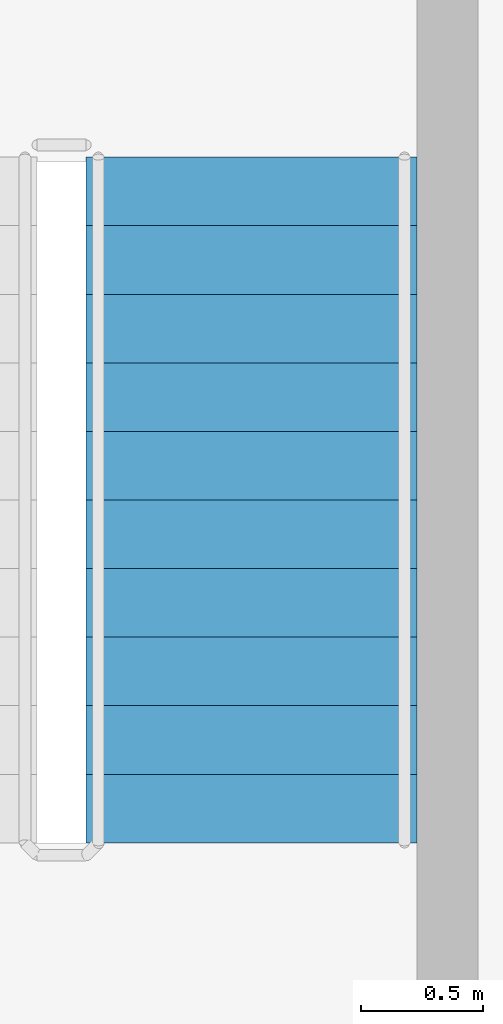
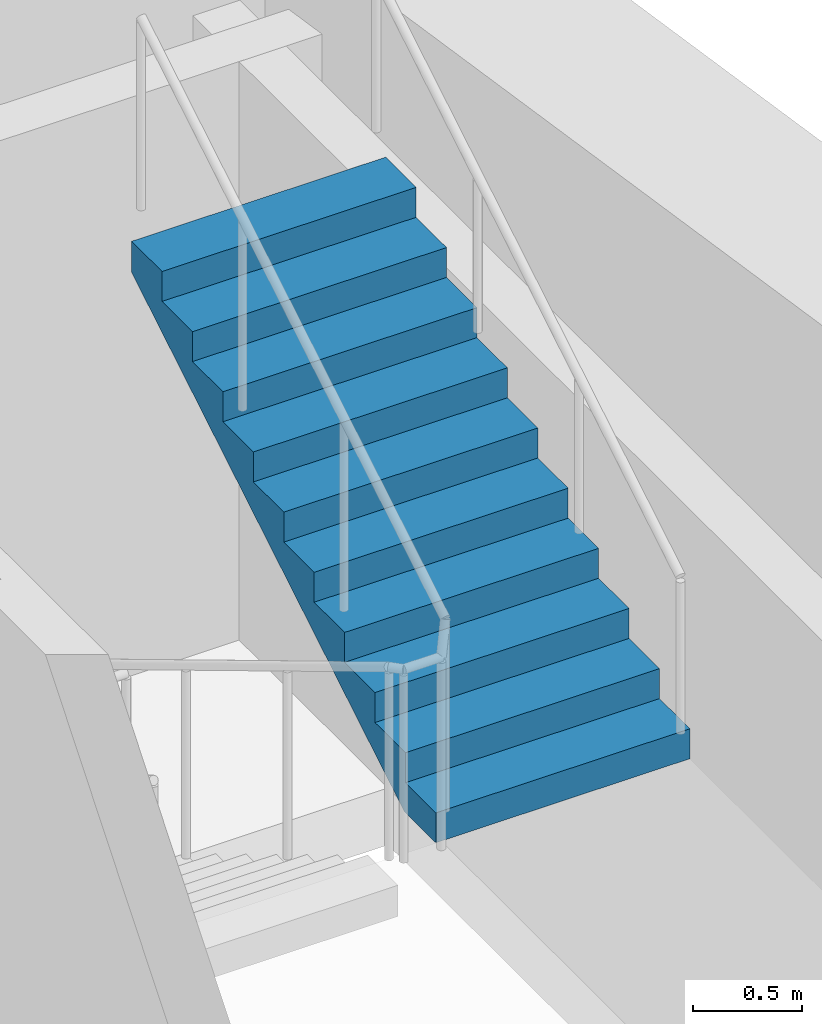
# One storey, part 8 of 13: 1 stair flight, 1 element without a shape of its own.
"""IFC4 building model written with IfcOpenShell, lengths in metres."""

from ifc_helpers import new_model, si_unit, direction, frame, origin, place, context, subcontext, project, spatial, polyline, outline, extrude, material, type_object, element, aggregate, save


model = new_model("IFC4")

# Units and contexts
model_context = context("Model", 3, precision=1e-05, world=origin(), true_north=direction((0.0, 1.0)))
body_context = subcontext(model_context, "Body", "Model", "MODEL_VIEW")
ifc_project = project(units=[si_unit("LENGTHUNIT", "METRE"), si_unit("AREAUNIT", "SQUARE_METRE"), si_unit("VOLUMEUNIT", "CUBIC_METRE"), si_unit("PLANEANGLEUNIT", "RADIAN"), si_unit("MASSUNIT", "GRAM", prefix="KILO")], contexts=[model_context])

# Site, building, storey
site_placement = place(None, origin())
site = spatial("IfcSite", under=ifc_project, at=site_placement, CompositionType="ELEMENT")
building_placement = place(site_placement, origin())
building = spatial("IfcBuilding", under=site, at=building_placement, Name="Candeia Pilgrim Tower and Theatre", CompositionType="ELEMENT")
storey_placement = place(building_placement, frame((0.0, 0.0, 188.5)))
storey = spatial("IfcBuildingStorey", under=building, at=storey_placement, Name="L45", CompositionType="ELEMENT", Elevation=188.5)

# Stair, stair flight
ifc_material = material(Name="Concrete C40/50", Category="concrete")
stair_type = type_object("IfcStairType", Name="ST-TWR dog-leg escape stair", PredefinedType="HALF_TURN_STAIR", material=ifc_material)
stair_placement = place(storey_placement, origin())
stair = element("IfcStair", 1, at=stair_placement, inside=storey, type_object=stair_type, Name="L45 Escape stair ST4", PredefinedType="HALF_TURN_STAIR")
stair_flight_type = type_object("IfcStairFlightType", Name="SFL-RC stair flight", PredefinedType="STRAIGHT", material=ifc_material)
stair_flight_placement = place(storey_placement, frame((136.322998046875, 126.925048828125, 1.85009765625), z_axis=(0.0, 0.0, 1.0), x_axis=(0.0, 1.0, 0.0)))
stair_flight = element("IfcStairFlight", 2, at=stair_flight_placement, type_object=stair_flight_type, Name="ST4 flight 2", NumberOfRisers=11, NumberOfTreads=10, PredefinedType="STRAIGHT", RiserHeight=0.168181818, TreadLength=0.28, context=body_context, shape_type="SweptSolid", body=[
    extrude(outline(polyline([(0.0, 0.0), (0.0, 0.168212890625), (0.280029296875, 0.168212890625), (0.280029296875, 0.33642578125), (0.56005859375, 0.33642578125), (0.56005859375, 0.504638671875), (0.840087890625, 0.504638671875), (0.840087890625, 0.672607421875), (1.1201171875, 0.672607421875), (1.1201171875, 0.8408203125), (1.39990234375, 0.8408203125), (1.39990234375, 1.009033203125), (1.679931640625, 1.009033203125), (1.679931640625, 1.17724609375), (1.9599609375, 1.17724609375), (1.9599609375, 1.345458984375), (2.239990234375, 1.345458984375), (2.239990234375, 1.513671875), (2.52001953125, 1.513671875), (2.52001953125, 1.681884765625), (2.800048828125, 1.681884765625), (2.800048828125, 1.85009765625), (2.800048828125, 1.5068359375), (0.291015625, 0.0), (0.0, 0.0)])), frame((0.0, 0.675048828125, 0.0), z_axis=(0.0, -1.0, 0.0), x_axis=(1.0, 0.0, 0.0)), (0.0, 0.0, 1.0), 1.35009765625),
])
aggregate(stair, [stair_flight])

save(model, "model.ifc")
